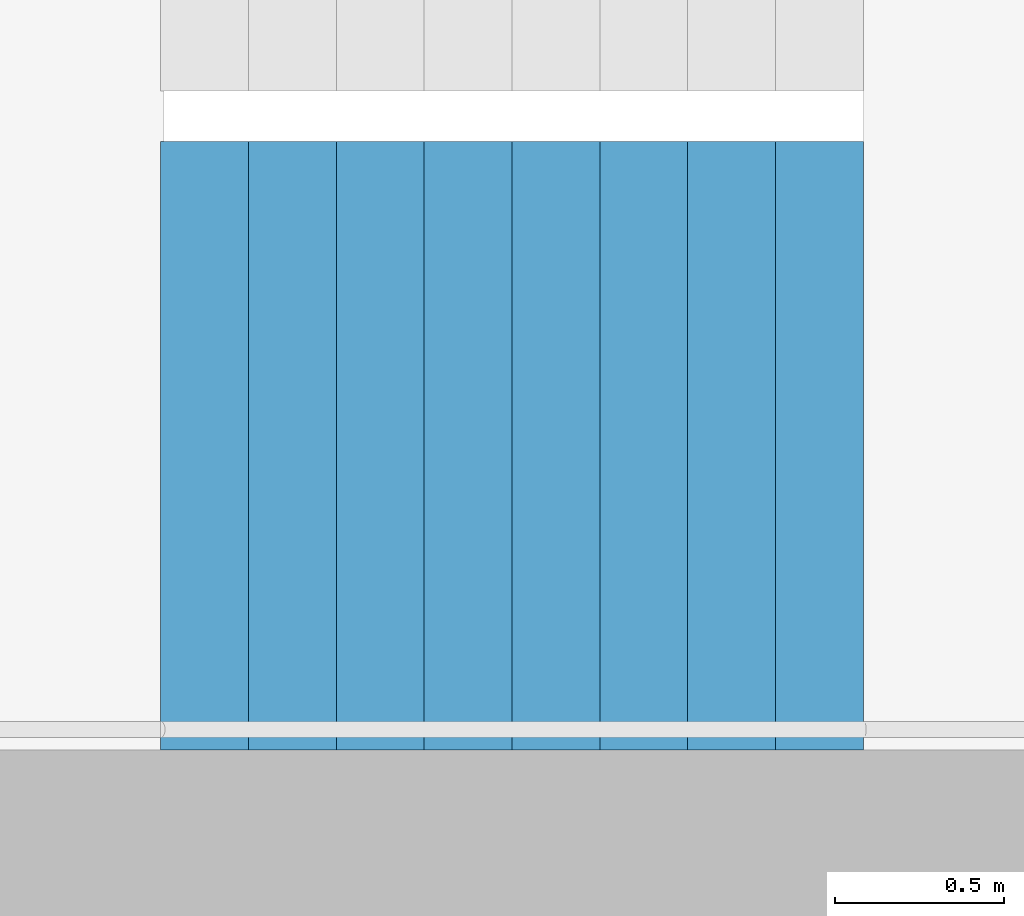
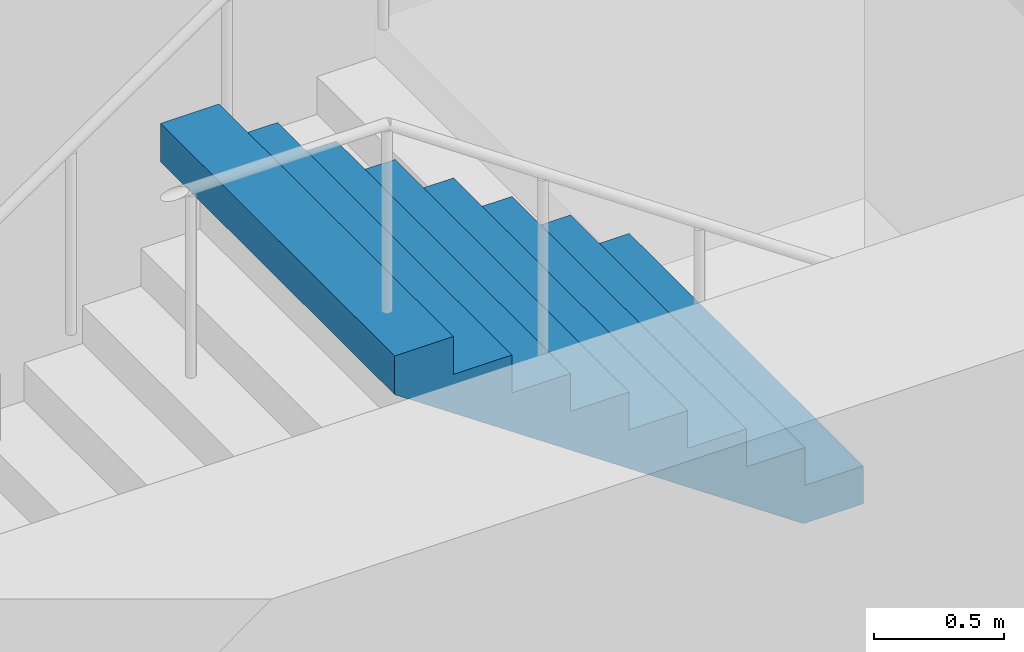
# One storey, part 24 of 28: 1 stair flight, 1 element without a shape of its own.
"""IFC4 building model written with IfcOpenShell, lengths in metres."""

from ifc_helpers import new_model, si_unit, direction, frame, origin, place, context, subcontext, project, spatial, triangles, material, type_object, element, aggregate, save


model = new_model("IFC4")

# Units and contexts
model_context = context("Model", 3, precision=1e-05, world=origin(), true_north=direction((0.0, 1.0)))
body_context = subcontext(model_context, "Body", "Model", "MODEL_VIEW")
ifc_project = project(units=[si_unit("LENGTHUNIT", "METRE"), si_unit("AREAUNIT", "SQUARE_METRE"), si_unit("VOLUMEUNIT", "CUBIC_METRE"), si_unit("PLANEANGLEUNIT", "RADIAN"), si_unit("MASSUNIT", "GRAM", prefix="KILO")], contexts=[model_context])

# Site, building, storey
site_placement = place(None, origin())
site = spatial("IfcSite", under=ifc_project, at=site_placement, CompositionType="ELEMENT")
building_placement = place(site_placement, origin())
building = spatial("IfcBuilding", under=site, at=building_placement, Name="Hakoniwa Tower and Hamabe Station Hall", CompositionType="ELEMENT")
storey_placement = place(building_placement, frame((0.0, 0.0, 58.199951171875)))
storey = spatial("IfcBuildingStorey", under=building, at=storey_placement, Name="L16", CompositionType="ELEMENT", Elevation=58.199951171875)

# Stair, stair flight
ifc_material_1 = material(Name="Concrete C40", Category="concrete")
stair_type = type_object("IfcStairType", Name="ESCAPE STAIR 1800", PredefinedType="HALF_TURN_STAIR", material=ifc_material_1)
stair_placement = place(storey_placement, origin())
stair = element("IfcStair", 1, at=stair_placement, inside=storey, type_object=stair_type, Name="Escape stair ST-4 L16", PredefinedType="HALF_TURN_STAIR")
ifc_material_2 = material(Name="Concrete C40", Category="concrete")
stair_flight_type = type_object("IfcStairFlightType", Name="STAIR FLIGHT 1800", PredefinedType="STRAIGHT", material=ifc_material_2)
stair_flight_placement = place(storey_placement, frame((25.47998046875, -6.60009765625, 1.60009765625), z_axis=(0.0, 0.0, 1.0), x_axis=(-1.0, 0.0, 0.0)))
stair_flight = element("IfcStairFlight", 2, at=stair_flight_placement, type_object=stair_flight_type, Name="ST-4 flight 2", NumberOfRisers=9, NumberOfTreads=8, PredefinedType="STRAIGHT", RiserHeight=0.177777778, TreadLength=0.26, context=body_context, shape_type="Tessellation", body=[
    triangles([(0.0, 0.89990234375, 0.0), (0.260009765625, 0.89990234375, 0.0), (0.265625, 0.89990234375, 0.0), (0.52001953125, 0.89990234375, 0.174072265625), (0.780029296875, 0.89990234375, 0.351806640625), (1.0400390625, 0.89990234375, 0.529541015625), (1.300048828125, 0.89990234375, 0.707275390625), (1.56005859375, 0.89990234375, 0.885009765625), (1.820068359375, 0.89990234375, 1.062744140625), (2.080078125, 0.89990234375, 1.24072265625), (2.080078125, 0.89990234375, 1.422119140625), (1.820068359375, 0.89990234375, 1.422119140625), (1.820068359375, 0.89990234375, 1.244384765625), (1.56005859375, 0.89990234375, 1.244384765625), (1.56005859375, 0.89990234375, 1.066650390625), (1.300048828125, 0.89990234375, 1.066650390625), (1.300048828125, 0.89990234375, 0.888916015625), (1.0400390625, 0.89990234375, 0.888916015625), (1.0400390625, 0.89990234375, 0.711181640625), (0.780029296875, 0.89990234375, 0.711181640625), (0.780029296875, 0.89990234375, 0.533447265625), (0.52001953125, 0.89990234375, 0.533447265625), (0.52001953125, 0.89990234375, 0.35546875), (0.265625, 0.89990234375, 0.35546875), (0.260009765625, 0.89990234375, 0.35546875), (0.260009765625, 0.89990234375, 0.177734375), (0.0, 0.89990234375, 0.177734375), (0.0, 0.06005859375, 0.0), (0.260009765625, 0.06005859375, 0.0), (0.265625, 0.06005859375, 0.0), (0.52001953125, 0.06005859375, 0.174072265625), (0.780029296875, 0.06005859375, 0.351806640625), (1.0400390625, 0.06005859375, 0.529541015625), (1.300048828125, 0.06005859375, 0.707275390625), (1.56005859375, 0.06005859375, 0.885009765625), (1.820068359375, 0.06005859375, 1.062744140625), (2.080078125, 0.06005859375, 1.24072265625), (2.080078125, 0.06005859375, 1.422119140625), (1.820068359375, 0.06005859375, 1.422119140625), (1.820068359375, 0.06005859375, 1.244384765625), (1.56005859375, 0.06005859375, 1.244384765625), (1.56005859375, 0.06005859375, 1.066650390625), (1.300048828125, 0.06005859375, 1.066650390625), (1.300048828125, 0.06005859375, 0.888916015625), (1.0400390625, 0.06005859375, 0.888916015625), (1.0400390625, 0.06005859375, 0.711181640625), (0.780029296875, 0.06005859375, 0.711181640625), (0.780029296875, 0.06005859375, 0.533447265625), (0.52001953125, 0.06005859375, 0.533447265625), (0.52001953125, 0.06005859375, 0.35546875), (0.265625, 0.06005859375, 0.35546875), (0.260009765625, 0.06005859375, 0.35546875), (0.260009765625, 0.06005859375, 0.177734375), (0.0, 0.06005859375, 0.177734375), (0.0, 0.04296875, 0.0), (0.260009765625, 0.04296875, 0.0), (0.265625, 0.04296875, 0.0), (0.52001953125, 0.04296875, 0.174072265625), (0.780029296875, 0.04296875, 0.351806640625), (1.0400390625, 0.04296875, 0.529541015625), (1.300048828125, 0.04296875, 0.707275390625), (1.56005859375, 0.04296875, 0.885009765625), (1.820068359375, 0.04296875, 1.062744140625), (2.080078125, 0.04296875, 1.24072265625), (2.080078125, 0.04296875, 1.422119140625), (1.820068359375, 0.04296875, 1.422119140625), (1.820068359375, 0.04296875, 1.244384765625), (1.56005859375, 0.04296875, 1.244384765625), (1.56005859375, 0.04296875, 1.066650390625), (1.300048828125, 0.04296875, 1.066650390625), (1.300048828125, 0.04296875, 0.888916015625), (1.0400390625, 0.04296875, 0.888916015625), (1.0400390625, 0.04296875, 0.711181640625), (0.780029296875, 0.04296875, 0.711181640625), (0.780029296875, 0.04296875, 0.533447265625), (0.52001953125, 0.04296875, 0.533447265625), (0.52001953125, 0.04296875, 0.35546875), (0.265625, 0.04296875, 0.35546875), (0.260009765625, 0.04296875, 0.35546875), (0.260009765625, 0.04296875, 0.177734375), (0.0, 0.04296875, 0.177734375), (0.0, 0.025634765625, 0.0), (0.260009765625, 0.025634765625, 0.0), (0.265625, 0.025634765625, 0.0), (0.52001953125, 0.025634765625, 0.174072265625), (0.780029296875, 0.025634765625, 0.351806640625), (1.0400390625, 0.025634765625, 0.529541015625), (1.300048828125, 0.025634765625, 0.707275390625), (1.56005859375, 0.025634765625, 0.885009765625), (1.820068359375, 0.025634765625, 1.062744140625), (2.080078125, 0.025634765625, 1.24072265625), (2.080078125, 0.025634765625, 1.422119140625), (1.820068359375, 0.025634765625, 1.422119140625), (1.820068359375, 0.025634765625, 1.244384765625), (1.56005859375, 0.025634765625, 1.244384765625), (1.56005859375, 0.025634765625, 1.066650390625), (1.300048828125, 0.025634765625, 1.066650390625), (1.300048828125, 0.025634765625, 0.888916015625), (1.0400390625, 0.025634765625, 0.888916015625), (1.0400390625, 0.025634765625, 0.711181640625), (0.780029296875, 0.025634765625, 0.711181640625), (0.780029296875, 0.025634765625, 0.533447265625), (0.52001953125, 0.025634765625, 0.533447265625), (0.52001953125, 0.025634765625, 0.35546875), (0.265625, 0.025634765625, 0.35546875), (0.260009765625, 0.025634765625, 0.35546875), (0.260009765625, 0.025634765625, 0.177734375), (0.0, 0.025634765625, 0.177734375), (0.0, 0.008544921875, 0.0), (0.260009765625, 0.008544921875, 0.0), (0.265625, 0.008544921875, 0.0), (0.52001953125, 0.008544921875, 0.174072265625), (0.780029296875, 0.008544921875, 0.351806640625), (1.0400390625, 0.008544921875, 0.529541015625), (1.300048828125, 0.008544921875, 0.707275390625), (1.56005859375, 0.008544921875, 0.885009765625), (1.820068359375, 0.008544921875, 1.062744140625), (2.080078125, 0.008544921875, 1.24072265625), (2.080078125, 0.008544921875, 1.422119140625), (1.820068359375, 0.008544921875, 1.422119140625), (1.820068359375, 0.008544921875, 1.244384765625), (1.56005859375, 0.008544921875, 1.244384765625), (1.56005859375, 0.008544921875, 1.066650390625), (1.300048828125, 0.008544921875, 1.066650390625), (1.300048828125, 0.008544921875, 0.888916015625), (1.0400390625, 0.008544921875, 0.888916015625), (1.0400390625, 0.008544921875, 0.711181640625), (0.780029296875, 0.008544921875, 0.711181640625), (0.780029296875, 0.008544921875, 0.533447265625), (0.52001953125, 0.008544921875, 0.533447265625), (0.52001953125, 0.008544921875, 0.35546875), (0.265625, 0.008544921875, 0.35546875), (0.260009765625, 0.008544921875, 0.35546875), (0.260009765625, 0.008544921875, 0.177734375), (0.0, 0.008544921875, 0.177734375), (0.0, -0.008544921875, 0.0), (0.260009765625, -0.008544921875, 0.0), (0.265625, -0.008544921875, 0.0), (0.52001953125, -0.008544921875, 0.174072265625), (0.780029296875, -0.008544921875, 0.351806640625), (1.0400390625, -0.008544921875, 0.529541015625), (1.300048828125, -0.008544921875, 0.707275390625), (1.56005859375, -0.008544921875, 0.885009765625), (1.820068359375, -0.008544921875, 1.062744140625), (2.080078125, -0.008544921875, 1.24072265625), (2.080078125, -0.008544921875, 1.422119140625), (1.820068359375, -0.008544921875, 1.422119140625), (1.820068359375, -0.008544921875, 1.244384765625), (1.56005859375, -0.008544921875, 1.244384765625), (1.56005859375, -0.008544921875, 1.066650390625), (1.300048828125, -0.008544921875, 1.066650390625), (1.300048828125, -0.008544921875, 0.888916015625), (1.0400390625, -0.008544921875, 0.888916015625), (1.0400390625, -0.008544921875, 0.711181640625), (0.780029296875, -0.008544921875, 0.711181640625), (0.780029296875, -0.008544921875, 0.533447265625), (0.52001953125, -0.008544921875, 0.533447265625), (0.52001953125, -0.008544921875, 0.35546875), (0.265625, -0.008544921875, 0.35546875), (0.260009765625, -0.008544921875, 0.35546875), (0.260009765625, -0.008544921875, 0.177734375), (0.0, -0.008544921875, 0.177734375), (0.0, -0.025634765625, 0.0), (0.260009765625, -0.025634765625, 0.0), (0.265625, -0.025634765625, 0.0), (0.52001953125, -0.025634765625, 0.174072265625), (0.780029296875, -0.025634765625, 0.351806640625), (1.0400390625, -0.025634765625, 0.529541015625), (1.300048828125, -0.025634765625, 0.707275390625), (1.56005859375, -0.025634765625, 0.885009765625), (1.820068359375, -0.025634765625, 1.062744140625), (2.080078125, -0.025634765625, 1.24072265625), (2.080078125, -0.025634765625, 1.422119140625), (1.820068359375, -0.025634765625, 1.422119140625), (1.820068359375, -0.025634765625, 1.244384765625), (1.56005859375, -0.025634765625, 1.244384765625), (1.56005859375, -0.025634765625, 1.066650390625), (1.300048828125, -0.025634765625, 1.066650390625), (1.300048828125, -0.025634765625, 0.888916015625), (1.0400390625, -0.025634765625, 0.888916015625), (1.0400390625, -0.025634765625, 0.711181640625), (0.780029296875, -0.025634765625, 0.711181640625), (0.780029296875, -0.025634765625, 0.533447265625), (0.52001953125, -0.025634765625, 0.533447265625), (0.52001953125, -0.025634765625, 0.35546875), (0.265625, -0.025634765625, 0.35546875), (0.260009765625, -0.025634765625, 0.35546875), (0.260009765625, -0.025634765625, 0.177734375), (0.0, -0.025634765625, 0.177734375), (0.0, -0.04296875, 0.0), (0.260009765625, -0.04296875, 0.0), (0.265625, -0.04296875, 0.0), (0.52001953125, -0.04296875, 0.174072265625), (0.780029296875, -0.04296875, 0.351806640625), (1.0400390625, -0.04296875, 0.529541015625), (1.300048828125, -0.04296875, 0.707275390625), (1.56005859375, -0.04296875, 0.885009765625), (1.820068359375, -0.04296875, 1.062744140625), (2.080078125, -0.04296875, 1.24072265625), (2.080078125, -0.04296875, 1.422119140625), (1.820068359375, -0.04296875, 1.422119140625), (1.820068359375, -0.04296875, 1.244384765625), (1.56005859375, -0.04296875, 1.244384765625), (1.56005859375, -0.04296875, 1.066650390625), (1.300048828125, -0.04296875, 1.066650390625), (1.300048828125, -0.04296875, 0.888916015625), (1.0400390625, -0.04296875, 0.888916015625), (1.0400390625, -0.04296875, 0.711181640625), (0.780029296875, -0.04296875, 0.711181640625), (0.780029296875, -0.04296875, 0.533447265625), (0.52001953125, -0.04296875, 0.533447265625), (0.52001953125, -0.04296875, 0.35546875), (0.265625, -0.04296875, 0.35546875), (0.260009765625, -0.04296875, 0.35546875), (0.260009765625, -0.04296875, 0.177734375), (0.0, -0.04296875, 0.177734375), (0.0, -0.06005859375, 0.0), (0.260009765625, -0.06005859375, 0.0), (0.265625, -0.06005859375, 0.0), (0.52001953125, -0.06005859375, 0.174072265625), (0.780029296875, -0.06005859375, 0.351806640625), (1.0400390625, -0.06005859375, 0.529541015625), (1.300048828125, -0.06005859375, 0.707275390625), (1.56005859375, -0.06005859375, 0.885009765625), (1.820068359375, -0.06005859375, 1.062744140625), (2.080078125, -0.06005859375, 1.24072265625), (2.080078125, -0.06005859375, 1.422119140625), (1.820068359375, -0.06005859375, 1.422119140625), (1.820068359375, -0.06005859375, 1.244384765625), (1.56005859375, -0.06005859375, 1.244384765625), (1.56005859375, -0.06005859375, 1.066650390625), (1.300048828125, -0.06005859375, 1.066650390625), (1.300048828125, -0.06005859375, 0.888916015625), (1.0400390625, -0.06005859375, 0.888916015625), (1.0400390625, -0.06005859375, 0.711181640625), (0.780029296875, -0.06005859375, 0.711181640625), (0.780029296875, -0.06005859375, 0.533447265625), (0.52001953125, -0.06005859375, 0.533447265625), (0.52001953125, -0.06005859375, 0.35546875), (0.265625, -0.06005859375, 0.35546875), (0.260009765625, -0.06005859375, 0.35546875), (0.260009765625, -0.06005859375, 0.177734375), (0.0, -0.06005859375, 0.177734375), (0.0, -0.89990234375, 0.0), (0.260009765625, -0.89990234375, 0.0), (0.265625, -0.89990234375, 0.0), (0.52001953125, -0.89990234375, 0.174072265625), (0.780029296875, -0.89990234375, 0.351806640625), (1.0400390625, -0.89990234375, 0.529541015625), (1.300048828125, -0.89990234375, 0.707275390625), (1.56005859375, -0.89990234375, 0.885009765625), (1.820068359375, -0.89990234375, 1.062744140625), (2.080078125, -0.89990234375, 1.24072265625), (2.080078125, -0.89990234375, 1.422119140625), (1.820068359375, -0.89990234375, 1.422119140625), (1.820068359375, -0.89990234375, 1.244384765625), (1.56005859375, -0.89990234375, 1.244384765625), (1.56005859375, -0.89990234375, 1.066650390625), (1.300048828125, -0.89990234375, 1.066650390625), (1.300048828125, -0.89990234375, 0.888916015625), (1.0400390625, -0.89990234375, 0.888916015625), (1.0400390625, -0.89990234375, 0.711181640625), (0.780029296875, -0.89990234375, 0.711181640625), (0.780029296875, -0.89990234375, 0.533447265625), (0.52001953125, -0.89990234375, 0.533447265625), (0.52001953125, -0.89990234375, 0.35546875), (0.265625, -0.89990234375, 0.35546875), (0.260009765625, -0.89990234375, 0.35546875), (0.260009765625, -0.89990234375, 0.177734375), (0.0, -0.89990234375, 0.177734375)], [[2, 27, 26], [245, 269, 270], [2, 1, 27], [245, 270, 244], [3, 25, 24], [246, 267, 268], [3, 26, 25], [246, 268, 269], [3, 2, 26], [246, 269, 245], [4, 24, 23], [247, 266, 267], [4, 3, 24], [247, 267, 246], [5, 22, 21], [248, 264, 265], [5, 23, 22], [248, 265, 266], [5, 4, 23], [248, 266, 247], [6, 20, 19], [249, 262, 263], [6, 21, 20], [249, 263, 264], [6, 5, 21], [249, 264, 248], [7, 18, 17], [250, 260, 261], [7, 19, 18], [250, 261, 262], [7, 6, 19], [250, 262, 249], [8, 16, 15], [251, 258, 259], [8, 17, 16], [251, 259, 260], [8, 7, 17], [251, 260, 250], [9, 14, 13], [252, 256, 257], [9, 15, 14], [252, 257, 258], [9, 8, 15], [252, 258, 251], [10, 12, 11], [253, 254, 255], [10, 13, 12], [253, 255, 256], [10, 9, 13], [253, 256, 252], [1, 2, 29], [1, 29, 28], [28, 29, 56], [28, 56, 55], [55, 56, 83], [55, 83, 82], [82, 83, 110], [82, 110, 109], [109, 110, 137], [109, 137, 136], [136, 137, 164], [136, 164, 163], [163, 164, 191], [163, 191, 190], [190, 191, 218], [190, 218, 217], [217, 218, 245], [217, 245, 244], [2, 3, 30], [2, 30, 29], [29, 30, 57], [29, 57, 56], [56, 57, 84], [56, 84, 83], [83, 84, 111], [83, 111, 110], [110, 111, 138], [110, 138, 137], [137, 138, 165], [137, 165, 164], [164, 165, 192], [164, 192, 191], [191, 192, 219], [191, 219, 218], [218, 219, 246], [218, 246, 245], [3, 4, 31], [3, 31, 30], [30, 31, 58], [30, 58, 57], [57, 58, 85], [57, 85, 84], [84, 85, 112], [84, 112, 111], [111, 112, 139], [111, 139, 138], [138, 139, 166], [138, 166, 165], [165, 166, 193], [165, 193, 192], [192, 193, 220], [192, 220, 219], [219, 220, 247], [219, 247, 246], [4, 5, 32], [4, 32, 31], [31, 32, 59], [31, 59, 58], [58, 59, 86], [58, 86, 85], [85, 86, 113], [85, 113, 112], [112, 113, 140], [112, 140, 139], [139, 140, 167], [139, 167, 166], [166, 167, 194], [166, 194, 193], [193, 194, 221], [193, 221, 220], [220, 221, 248], [220, 248, 247], [5, 6, 33], [5, 33, 32], [32, 33, 60], [32, 60, 59], [59, 60, 87], [59, 87, 86], [86, 87, 114], [86, 114, 113], [113, 114, 141], [113, 141, 140], [140, 141, 168], [140, 168, 167], [167, 168, 195], [167, 195, 194], [194, 195, 222], [194, 222, 221], [221, 222, 249], [221, 249, 248], [6, 7, 34], [6, 34, 33], [33, 34, 61], [33, 61, 60], [60, 61, 88], [60, 88, 87], [87, 88, 115], [87, 115, 114], [114, 115, 142], [114, 142, 141], [141, 142, 169], [141, 169, 168], [168, 169, 196], [168, 196, 195], [195, 196, 223], [195, 223, 222], [222, 223, 250], [222, 250, 249], [7, 8, 35], [7, 35, 34], [34, 35, 62], [34, 62, 61], [61, 62, 89], [61, 89, 88], [88, 89, 116], [88, 116, 115], [115, 116, 143], [115, 143, 142], [142, 143, 170], [142, 170, 169], [169, 170, 197], [169, 197, 196], [196, 197, 224], [196, 224, 223], [223, 224, 251], [223, 251, 250], [8, 9, 36], [8, 36, 35], [35, 36, 63], [35, 63, 62], [62, 63, 90], [62, 90, 89], [89, 90, 117], [89, 117, 116], [116, 117, 144], [116, 144, 143], [143, 144, 171], [143, 171, 170], [170, 171, 198], [170, 198, 197], [197, 198, 225], [197, 225, 224], [224, 225, 252], [224, 252, 251], [9, 10, 37], [9, 37, 36], [36, 37, 64], [36, 64, 63], [63, 64, 91], [63, 91, 90], [90, 91, 118], [90, 118, 117], [117, 118, 145], [117, 145, 144], [144, 145, 172], [144, 172, 171], [171, 172, 199], [171, 199, 198], [198, 199, 226], [198, 226, 225], [225, 226, 253], [225, 253, 252], [10, 11, 38], [10, 38, 37], [37, 38, 65], [37, 65, 64], [64, 65, 92], [64, 92, 91], [91, 92, 119], [91, 119, 118], [118, 119, 146], [118, 146, 145], [145, 146, 173], [145, 173, 172], [172, 173, 200], [172, 200, 199], [199, 200, 227], [199, 227, 226], [226, 227, 254], [226, 254, 253], [11, 12, 39], [11, 39, 38], [38, 39, 66], [38, 66, 65], [65, 66, 93], [65, 93, 92], [92, 93, 120], [92, 120, 119], [119, 120, 147], [119, 147, 146], [146, 147, 174], [146, 174, 173], [173, 174, 201], [173, 201, 200], [200, 201, 228], [200, 228, 227], [227, 228, 255], [227, 255, 254], [12, 13, 40], [12, 40, 39], [39, 40, 67], [39, 67, 66], [66, 67, 94], [66, 94, 93], [93, 94, 121], [93, 121, 120], [120, 121, 148], [120, 148, 147], [147, 148, 175], [147, 175, 174], [174, 175, 202], [174, 202, 201], [201, 202, 229], [201, 229, 228], [228, 229, 256], [228, 256, 255], [13, 14, 41], [13, 41, 40], [40, 41, 68], [40, 68, 67], [67, 68, 95], [67, 95, 94], [94, 95, 122], [94, 122, 121], [121, 122, 149], [121, 149, 148], [148, 149, 176], [148, 176, 175], [175, 176, 203], [175, 203, 202], [202, 203, 230], [202, 230, 229], [229, 230, 257], [229, 257, 256], [14, 15, 42], [14, 42, 41], [41, 42, 69], [41, 69, 68], [68, 69, 96], [68, 96, 95], [95, 96, 123], [95, 123, 122], [122, 123, 150], [122, 150, 149], [149, 150, 177], [149, 177, 176], [176, 177, 204], [176, 204, 203], [203, 204, 231], [203, 231, 230], [230, 231, 258], [230, 258, 257], [15, 16, 43], [15, 43, 42], [42, 43, 70], [42, 70, 69], [69, 70, 97], [69, 97, 96], [96, 97, 124], [96, 124, 123], [123, 124, 151], [123, 151, 150], [150, 151, 178], [150, 178, 177], [177, 178, 205], [177, 205, 204], [204, 205, 232], [204, 232, 231], [231, 232, 259], [231, 259, 258], [16, 17, 44], [16, 44, 43], [43, 44, 71], [43, 71, 70], [70, 71, 98], [70, 98, 97], [97, 98, 125], [97, 125, 124], [124, 125, 152], [124, 152, 151], [151, 152, 179], [151, 179, 178], [178, 179, 206], [178, 206, 205], [205, 206, 233], [205, 233, 232], [232, 233, 260], [232, 260, 259], [17, 18, 45], [17, 45, 44], [44, 45, 72], [44, 72, 71], [71, 72, 99], [71, 99, 98], [98, 99, 126], [98, 126, 125], [125, 126, 153], [125, 153, 152], [152, 153, 180], [152, 180, 179], [179, 180, 207], [179, 207, 206], [206, 207, 234], [206, 234, 233], [233, 234, 261], [233, 261, 260], [18, 19, 46], [18, 46, 45], [45, 46, 73], [45, 73, 72], [72, 73, 100], [72, 100, 99], [99, 100, 127], [99, 127, 126], [126, 127, 154], [126, 154, 153], [153, 154, 181], [153, 181, 180], [180, 181, 208], [180, 208, 207], [207, 208, 235], [207, 235, 234], [234, 235, 262], [234, 262, 261], [19, 20, 47], [19, 47, 46], [46, 47, 74], [46, 74, 73], [73, 74, 101], [73, 101, 100], [100, 101, 128], [100, 128, 127], [127, 128, 155], [127, 155, 154], [154, 155, 182], [154, 182, 181], [181, 182, 209], [181, 209, 208], [208, 209, 236], [208, 236, 235], [235, 236, 263], [235, 263, 262], [20, 21, 48], [20, 48, 47], [47, 48, 75], [47, 75, 74], [74, 75, 102], [74, 102, 101], [101, 102, 129], [101, 129, 128], [128, 129, 156], [128, 156, 155], [155, 156, 183], [155, 183, 182], [182, 183, 210], [182, 210, 209], [209, 210, 237], [209, 237, 236], [236, 237, 264], [236, 264, 263], [21, 22, 49], [21, 49, 48], [48, 49, 76], [48, 76, 75], [75, 76, 103], [75, 103, 102], [102, 103, 130], [102, 130, 129], [129, 130, 157], [129, 157, 156], [156, 157, 184], [156, 184, 183], [183, 184, 211], [183, 211, 210], [210, 211, 238], [210, 238, 237], [237, 238, 265], [237, 265, 264], [22, 23, 50], [22, 50, 49], [49, 50, 77], [49, 77, 76], [76, 77, 104], [76, 104, 103], [103, 104, 131], [103, 131, 130], [130, 131, 158], [130, 158, 157], [157, 158, 185], [157, 185, 184], [184, 185, 212], [184, 212, 211], [211, 212, 239], [211, 239, 238], [238, 239, 266], [238, 266, 265], [23, 24, 51], [23, 51, 50], [50, 51, 78], [50, 78, 77], [77, 78, 105], [77, 105, 104], [104, 105, 132], [104, 132, 131], [131, 132, 159], [131, 159, 158], [158, 159, 186], [158, 186, 185], [185, 186, 213], [185, 213, 212], [212, 213, 240], [212, 240, 239], [239, 240, 267], [239, 267, 266], [24, 25, 52], [24, 52, 51], [51, 52, 79], [51, 79, 78], [78, 79, 106], [78, 106, 105], [105, 106, 133], [105, 133, 132], [132, 133, 160], [132, 160, 159], [159, 160, 187], [159, 187, 186], [186, 187, 214], [186, 214, 213], [213, 214, 241], [213, 241, 240], [240, 241, 268], [240, 268, 267], [25, 26, 53], [25, 53, 52], [52, 53, 80], [52, 80, 79], [79, 80, 107], [79, 107, 106], [106, 107, 134], [106, 134, 133], [133, 134, 161], [133, 161, 160], [160, 161, 188], [160, 188, 187], [187, 188, 215], [187, 215, 214], [214, 215, 242], [214, 242, 241], [241, 242, 269], [241, 269, 268], [26, 27, 54], [26, 54, 53], [53, 54, 81], [53, 81, 80], [80, 81, 108], [80, 108, 107], [107, 108, 135], [107, 135, 134], [134, 135, 162], [134, 162, 161], [161, 162, 189], [161, 189, 188], [188, 189, 216], [188, 216, 215], [215, 216, 243], [215, 243, 242], [242, 243, 270], [242, 270, 269], [27, 1, 28], [27, 28, 54], [54, 28, 55], [54, 55, 81], [81, 55, 82], [81, 82, 108], [108, 82, 109], [108, 109, 135], [135, 109, 136], [135, 136, 162], [162, 136, 163], [162, 163, 189], [189, 163, 190], [189, 190, 216], [216, 190, 217], [216, 217, 243], [243, 217, 244], [243, 244, 270]], closed=True),
])
aggregate(stair, [stair_flight])

save(model, "model.ifc")
